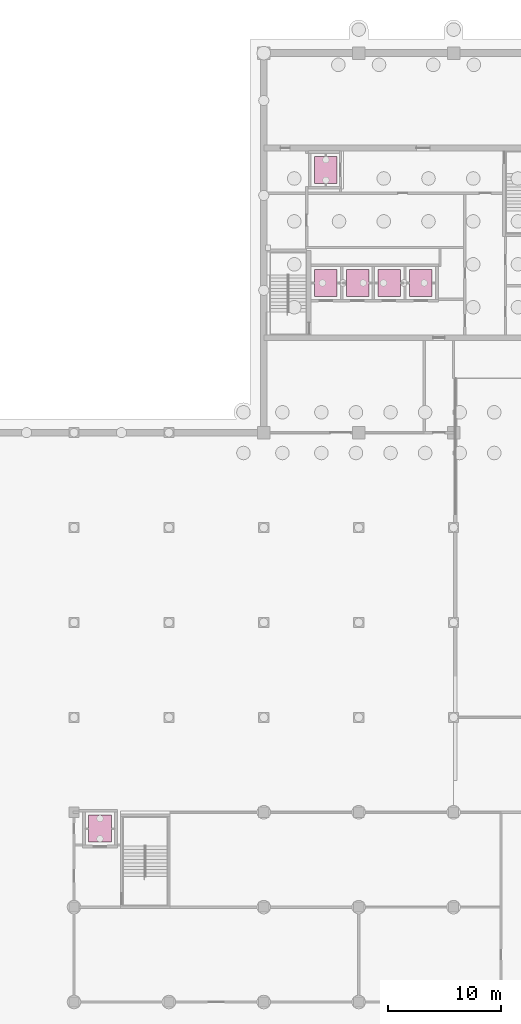
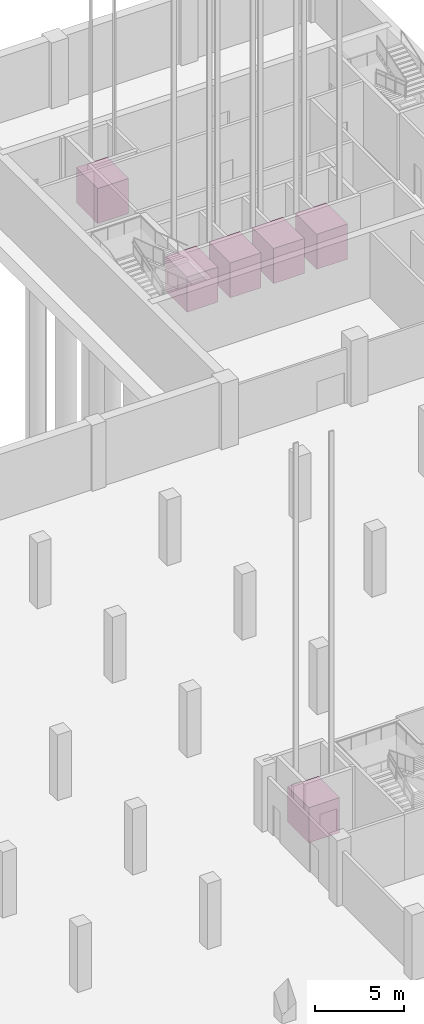
# One storey, part 26 of 26: 6 transport elements.
"""IFC4 building model written with IfcOpenShell, lengths in metres."""

from ifc_helpers import new_model, si_unit, direction, frame, origin, origin_2d, place, context, subcontext, project, spatial, rectangle, extrude, material, type_object, element, save


model = new_model("IFC4")

# Units and contexts
model_context = context("Model", 3, precision=1e-05, world=origin(), true_north=direction((0.0, 1.0)))
body_context = subcontext(model_context, "Body", "Model", "MODEL_VIEW")
ifc_project = project(units=[si_unit("LENGTHUNIT", "METRE"), si_unit("AREAUNIT", "SQUARE_METRE"), si_unit("VOLUMEUNIT", "CUBIC_METRE"), si_unit("PLANEANGLEUNIT", "RADIAN"), si_unit("MASSUNIT", "GRAM", prefix="KILO")], contexts=[model_context])

# Site, building, storey
site_placement = place(None, origin())
site = spatial("IfcSite", under=ifc_project, at=site_placement, CompositionType="ELEMENT")
building_placement = place(site_placement, origin())
building = spatial("IfcBuilding", under=site, at=building_placement, Name="Rulbaag Community and Learning Centre", CompositionType="ELEMENT")
storey_placement = place(building_placement, frame((0.0, 0.0, -9.60009765625)))
storey = spatial("IfcBuildingStorey", under=building, at=storey_placement, Name="B2", CompositionType="ELEMENT", Elevation=-9.60009765625)

# Transport elements
ifc_material = material(Name="Stainless steel grade 304", Category="steel")
transport_element_type_1 = type_object("IfcTransportElementType", Name="LF-2000x2400 FIREFIGHTING LIFT", PredefinedType="ELEVATOR", material=ifc_material)
transport_element_placement = place(storey_placement, frame((148.300048828125, 107.25, 0.000244140625), z_axis=(0.0, 0.0, 1.0), x_axis=(1.0, 0.0, 0.0)))
element("IfcTransportElement", 1, at=transport_element_placement, inside=storey, type_object=transport_element_type_1, Name="Lift LF1", PredefinedType="ELEVATOR", context=body_context, shape_type="SweptSolid", body=[
    extrude(rectangle(XDim=2.0, YDim=2.39990234375, at=origin_2d()), origin(), (0.0, 0.0, 1.0), 2.39990234375),
])
transport_element_type_2 = type_object("IfcTransportElementType", Name="LP-2000x2400 PASSENGER LIFT", PredefinedType="ELEVATOR", material=ifc_material)
for number, where, z_axis, x_axis, name in (
    (2, (128.300048828125, 48.949951171875, 0.000244140625), (0.0, 0.0, 1.0), (1.0, 0.0, 0.0), "Lift LH3"),
    (3, (148.300048828125, 97.25, 0.000244140625), (0.0, 0.0, 1.0), (1.0, 0.0, 0.0), "Lift LP1"),
    (4, (151.10009765625, 97.25, 0.000244140625), (0.0, 0.0, 1.0), (1.0, 0.0, 0.0), "Lift LP2"),
    (5, (153.89990234375, 97.25, 0.000244140625), (0.0, 0.0, 1.0), (1.0, 0.0, 0.0), "Lift LP3"),
    (6, (156.699951171875, 97.25, 0.000244140625), (0.0, 0.0, 1.0), (1.0, 0.0, 0.0), "Lift LP4"),
):
    element("IfcTransportElement", number, at=place(storey_placement, frame(where, z_axis=z_axis, x_axis=x_axis)), inside=storey, type_object=transport_element_type_2, Name=name, PredefinedType="ELEVATOR", context=body_context, shape_type="SweptSolid", body=[
        extrude(rectangle(XDim=2.0, YDim=2.39990234375, at=origin_2d()), origin(), (0.0, 0.0, 1.0), 2.39990234375),
    ])

save(model, "model.ifc")
